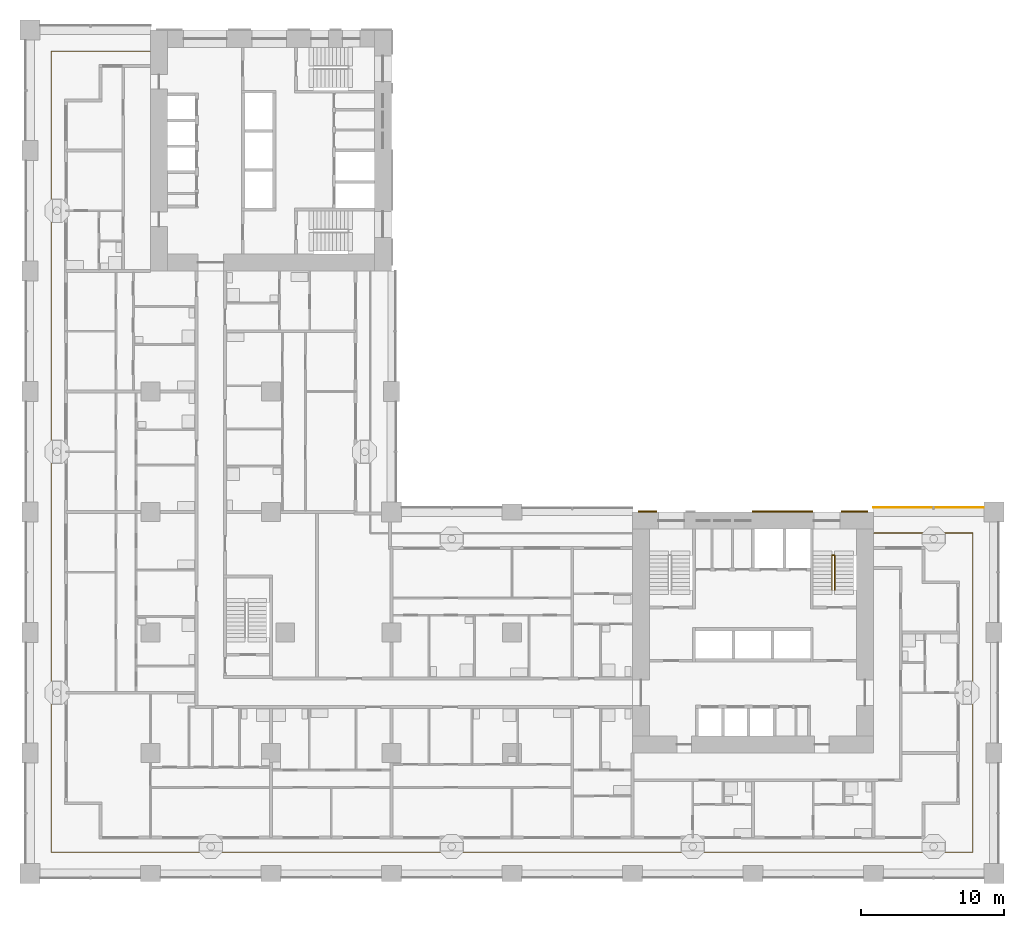
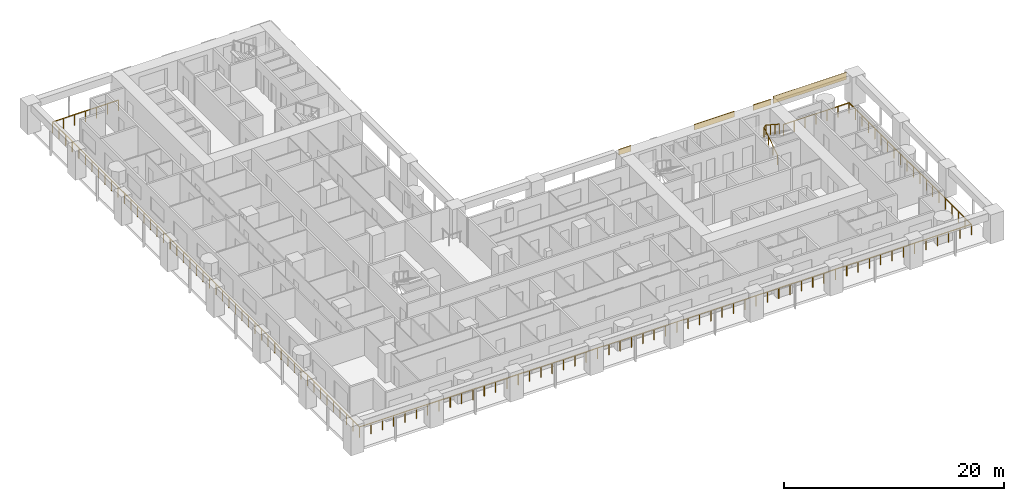
# One storey, part 14 of 22: 4 shading devices, 2 railings.
"""IFC4 building model written with IfcOpenShell, lengths in metres."""

import ifcopenshell
import ifcopenshell.guid

model = None  # the IFC model being written
_history = None  # IfcOwnerHistory: only IFC2X3 demands one
_inside = {}  # id of a spatial element -> (the spatial element, [elements in it])
_under = {}  # id of a project, library or spatial element -> (it, [spatial elements below it])
_declared = {}  # id of a project -> (the project, [libraries it declares])
_typed = {}  # id of a type object -> (the type object, [elements of that type])
_made_of = {}  # id of a material, layer set ... -> (it, [elements and type objects made of it])


def new_model(schema):
    """Start an empty IFC model of exactly this schema.

    Asked for "IFC4X3", IfcOpenShell would pick the latest addendum, in which some entities
    have other attributes; the version numbers below select the first issue.
    IFC2X3 requires an IfcOwnerHistory on every rooted entity: one is made here for all.
    """
    global model, _history
    if schema == "IFC4X3":
        model = ifcopenshell.file(schema_version=(4, 3, 0, 0))
    else:
        model = ifcopenshell.file(schema=schema)
    _inside.clear()
    _under.clear()
    _declared.clear()
    _typed.clear()
    _made_of.clear()
    _history = None
    if model.schema == "IFC2X3":
        org = make("IfcOrganization", Name="unknown")
        user = make(
            "IfcPersonAndOrganization",
            ThePerson=make("IfcPerson", FamilyName="unknown"),
            TheOrganization=org,
        )
        app = make(
            "IfcApplication",
            ApplicationDeveloper=org,
            Version="unknown",
            ApplicationFullName="unknown",
            ApplicationIdentifier="unknown",
        )
        _history = make(
            "IfcOwnerHistory",
            OwningUser=user,
            OwningApplication=app,
            ChangeAction="ADDED",
            CreationDate=0,
        )
    return model


def make(cls, **values):
    """One entity of the class cls with the attributes given. An attribute that is None is left unset."""
    return model.create_entity(
        cls, **{name: value for name, value in values.items() if value is not None}
    )


def rooted(cls, **values):
    """An entity with a GlobalId (a new one), such as an element, a storey or a relation."""
    return make(cls, GlobalId=ifcopenshell.guid.new(), OwnerHistory=_history, **values)


def si_unit(unit_type, name, prefix=None):
    """IfcSIUnit, for example si_unit("LENGTHUNIT", "METRE", prefix="MILLI")."""
    return make("IfcSIUnit", UnitType=unit_type, Prefix=prefix, Name=name)


def assignment(units):
    """IfcUnitAssignment: the units of a project."""
    return None if units is None else make("IfcUnitAssignment", Units=units)


def point(xyz):
    """IfcCartesianPoint."""
    return None if xyz is None else make("IfcCartesianPoint", Coordinates=xyz)


def direction(xyz):
    """IfcDirection."""
    return None if xyz is None else make("IfcDirection", DirectionRatios=xyz)


def frame(location, z_axis=None, x_axis=None):
    """IfcAxis2Placement3D, a coordinate frame: its origin and axes. An axis left out is left unset."""
    return make(
        "IfcAxis2Placement3D",
        Location=point(location),
        Axis=direction(z_axis),
        RefDirection=direction(x_axis),
    )


def frame_2d(location, x_axis=None):
    """IfcAxis2Placement2D, a coordinate frame in the plane: its origin and x axis."""
    return make(
        "IfcAxis2Placement2D", Location=point(location), RefDirection=direction(x_axis)
    )


def origin():
    """The frame at (0, 0, 0) with its axes left unset."""
    return frame((0.0, 0.0, 0.0))


def origin_2d():
    """The frame at (0, 0) in the plane with its x axis left unset."""
    return frame_2d((0.0, 0.0))


def place(relative_to, where):
    """IfcLocalPlacement: puts the frame where relative to a parent placement (None: the world)."""
    return make(
        "IfcLocalPlacement", PlacementRelTo=relative_to, RelativePlacement=where
    )


def context(
    kind, dimensions, precision=None, world=None, true_north=None, identifier=None
):
    """IfcGeometricRepresentationContext, for example the 3D "Model" context."""
    return make(
        "IfcGeometricRepresentationContext",
        ContextIdentifier=identifier,
        ContextType=kind,
        CoordinateSpaceDimension=dimensions,
        Precision=precision,
        WorldCoordinateSystem=world,
        TrueNorth=true_north,
    )


def subcontext(parent, identifier, kind, view, scale=None):
    """IfcGeometricRepresentationSubContext, for example "Body" below "Model"."""
    return make(
        "IfcGeometricRepresentationSubContext",
        ContextIdentifier=identifier,
        ContextType=kind,
        ParentContext=parent,
        TargetScale=scale,
        TargetView=view,
    )


def project(units=None, contexts=None):
    """IfcProject with its units and contexts."""
    return rooted(
        "IfcProject",
        Name="project",
        RepresentationContexts=contexts,
        UnitsInContext=assignment(units),
    )


def spatial(cls, under=None, at=None, **own):
    """A site, building, storey or space (cls), placed at a placement, below another one or the project."""
    s = rooted(cls, ObjectPlacement=at, **own)
    if under is not None:
        _under.setdefault(under.id(), (under, []))[1].append(s)
    return s


def profile(cls, at=None, kind="AREA", **sizes):
    """A parametric profile (cls). Its sizes go by their IFC names, for example OverallWidth=200.0."""
    return make(cls, ProfileType=kind, Position=at, **sizes)


def rectangle(**sizes):
    """IfcRectangleProfileDef."""
    return profile("IfcRectangleProfileDef", **sizes)


def circle(**sizes):
    """IfcCircleProfileDef."""
    return profile("IfcCircleProfileDef", **sizes)


def extrude(swept, where, along, depth):
    """IfcExtrudedAreaSolid: the profile swept, set in the frame where, extruded along a direction by depth."""
    return make(
        "IfcExtrudedAreaSolid",
        SweptArea=swept,
        Position=where,
        ExtrudedDirection=direction(along),
        Depth=depth,
    )


def shape(context_of_items, identifier, shape_type, items):
    """IfcShapeRepresentation: the items that make up one representation, for example the "Body"."""
    return make(
        "IfcShapeRepresentation",
        ContextOfItems=context_of_items,
        RepresentationIdentifier=identifier,
        RepresentationType=shape_type,
        Items=items,
    )


def material(Name=None, Category=None):
    """IfcMaterial."""
    return make("IfcMaterial", Name=Name, Category=Category)


def layer(
    of_material, thickness, ventilated=None, Name=None, Category=None, Priority=None
):
    """IfcMaterialLayer: one layer of a wall or slab, of a material (None: an air gap)."""
    return make(
        "IfcMaterialLayer",
        Material=of_material,
        LayerThickness=thickness,
        IsVentilated=ventilated,
        Name=Name,
        Category=Category,
        Priority=Priority,
    )


def layer_set(layers, Name=None):
    """IfcMaterialLayerSet."""
    return make("IfcMaterialLayerSet", MaterialLayers=layers, LayerSetName=Name)


def made_of(thing, what):
    """Note that an element or type object is made of a material, layer set ...; save() writes the relation."""
    if what is not None:
        _made_of.setdefault(what.id(), (what, []))[1].append(thing)
    return thing


def type_object(cls, material=None, **own):
    """A type object (cls), such as IfcWallType, which elements share."""
    return made_of(rooted(cls, **own), material)


def element(
    cls,
    number,
    at=None,
    inside=None,
    cuts=None,
    type_object=None,
    material=None,
    context=None,
    identifier="Body",
    shape_type=None,
    held_by="IfcProductDefinitionShape",
    body=None,
    shapes=None,
    **own,
):
    """One element of the class cls, such as IfcWall. Its Tag is "e" and its number.

    at: its placement. inside: the storey or other place that contains it. cuts: it is an
    opening in that element (IfcRelVoidsElement). A single representation is given by context,
    identifier, shape_type and body (its items); several are given by shapes. held_by: the class
    of the entity that holds the representations. save() writes the other relations.
    """
    e = rooted(cls, Tag="e%d" % number, ObjectPlacement=at, **own)
    if body is not None:
        shapes = [shape(context, identifier, shape_type, body)]
    if shapes is not None:
        e.Representation = make(held_by, Representations=shapes)
    if inside is not None:
        _inside.setdefault(inside.id(), (inside, []))[1].append(e)
    if cuts is not None:
        rooted(
            "IfcRelVoidsElement", RelatingBuildingElement=cuts, RelatedOpeningElement=e
        )
    if type_object is not None:
        _typed.setdefault(type_object.id(), (type_object, []))[1].append(e)
    return made_of(e, material)


def aggregate(whole, parts):
    """IfcRelAggregates: a whole, such as a stair, and the parts it consists of."""
    return rooted("IfcRelAggregates", RelatingObject=whole, RelatedObjects=parts)


def save(model, path):
    """Write the relations noted so far, then the file.

    IfcRelAggregates (storeys below a building ...), IfcRelContainedInSpatialStructure (elements
    in a storey), IfcRelDefinesByType, IfcRelAssociatesMaterial and IfcRelDeclares: one each for
    every whole, place, type object, material and project.
    """
    for whole, parts in _under.values():
        aggregate(whole, parts)
    for where, things in _inside.values():
        rooted(
            "IfcRelContainedInSpatialStructure",
            RelatedElements=things,
            RelatingStructure=where,
        )
    for kind, things in _typed.values():
        rooted("IfcRelDefinesByType", RelatedObjects=things, RelatingType=kind)
    for what, things in _made_of.values():
        rooted("IfcRelAssociatesMaterial", RelatedObjects=things, RelatingMaterial=what)
    for by, libraries in _declared.values():
        rooted("IfcRelDeclares", RelatingContext=by, RelatedDefinitions=libraries)
    model.write(path)


model = new_model("IFC4")

# Units and contexts
model_context = context("Model", 3, precision=1e-05, world=origin(), true_north=direction((0.0, 1.0)))
body_context = subcontext(model_context, "Body", "Model", "MODEL_VIEW")
ifc_project = project(units=[si_unit("LENGTHUNIT", "METRE"), si_unit("AREAUNIT", "SQUARE_METRE"), si_unit("VOLUMEUNIT", "CUBIC_METRE"), si_unit("PLANEANGLEUNIT", "RADIAN"), si_unit("MASSUNIT", "GRAM", prefix="KILO")], contexts=[model_context])

# Site, building, storey
site_placement = place(None, origin())
site = spatial("IfcSite", under=ifc_project, at=site_placement, CompositionType="ELEMENT")
building_placement = place(site_placement, origin())
building = spatial("IfcBuilding", under=site, at=building_placement, Name="Vermilion Gate Residences", CompositionType="ELEMENT")
storey_placement = place(building_placement, frame((0.0, 0.0, 63.699951171875)))
storey = spatial("IfcBuildingStorey", under=building, at=storey_placement, Name="L15", CompositionType="ELEMENT", Elevation=63.699951171875)

# Railing
ifc_material_1 = material(Name="Stainless steel and toughened glass", Category="steel")
railing_type_1 = type_object("IfcRailingType", Name="LOGGIA GUARD STEEL AND GLASS 1200", PredefinedType="GUARDRAIL", material=ifc_material_1)
railing_1_placement = place(storey_placement, frame((8.3779296875, 57.324951171875, 0.0)))
element("IfcRailing", 1, at=railing_1_placement, inside=storey, type_object=railing_type_1, Name="Loggia guard", PredefinedType="GUARDRAIL", context=body_context, shape_type="SweptSolid", body=[
    extrude(circle(Radius=0.030029296875, at=origin_2d()), frame((0.0, 0.0, 1.169921875), z_axis=(-1.0, 0.0, 0.0), x_axis=(0.0, -1.0, 0.0)), (0.0, 0.0, 1.0), 6.90283203125),
    extrude(circle(Radius=0.030029296875, at=origin_2d()), frame((-6.90283203125, 0.0, 1.169921875), z_axis=(0.0, -1.0, 0.0), x_axis=(1.0, 0.0, 0.0)), (0.0, 0.0, 1.0), 55.849853515625),
    extrude(circle(Radius=0.030029296875, at=origin_2d()), frame((-6.90283203125, -55.849853515625, 1.169921875), z_axis=(1.0, 0.0, 0.0), x_axis=(0.0, 1.0, 0.0)), (0.0, 0.0, 1.0), 64.25),
    extrude(circle(Radius=0.030029296875, at=origin_2d()), frame((57.34716796875, -55.849853515625, 1.169921875), z_axis=(0.0, 1.0, 0.0), x_axis=(-1.0, 0.0, 0.0)), (0.0, 0.0, 1.0), 22.25),
    extrude(circle(Radius=0.030029296875, at=origin_2d()), frame((57.34716796875, -33.599853515625, 1.169921875), z_axis=(-1.0, 0.0, 0.0), x_axis=(0.0, -1.0, 0.0)), (0.0, 0.0, 1.0), 6.903076171875),
    extrude(circle(Radius=0.02490234375, at=origin_2d()), origin(), (0.0, 0.0, 1.0), 1.139892578125),
    extrude(circle(Radius=0.02490234375, at=origin_2d()), frame((-1.150390625, 0.0, 0.0)), (0.0, 0.0, 1.0), 1.139892578125),
    extrude(circle(Radius=0.02490234375, at=origin_2d()), frame((-2.301025390625, 0.0, 0.0)), (0.0, 0.0, 1.0), 1.139892578125),
    extrude(circle(Radius=0.02490234375, at=origin_2d()), frame((-3.451416015625, 0.0, 0.0)), (0.0, 0.0, 1.0), 1.139892578125),
    extrude(circle(Radius=0.02490234375, at=origin_2d()), frame((-4.601806640625, 0.0, 0.0)), (0.0, 0.0, 1.0), 1.139892578125),
    extrude(circle(Radius=0.02490234375, at=origin_2d()), frame((-5.75244140625, 0.0, 0.0)), (0.0, 0.0, 1.0), 1.139892578125),
    extrude(circle(Radius=0.02490234375, at=origin_2d()), frame((-6.90283203125, 0.0, 0.0)), (0.0, 0.0, 1.0), 1.139892578125),
    extrude(circle(Radius=0.02490234375, at=origin_2d()), frame((-6.90283203125, -1.188232421875, 0.0)), (0.0, 0.0, 1.0), 1.139892578125),
    extrude(circle(Radius=0.02490234375, at=origin_2d()), frame((-6.90283203125, -2.376708984375, 0.0)), (0.0, 0.0, 1.0), 1.139892578125),
    extrude(circle(Radius=0.02490234375, at=origin_2d()), frame((-6.90283203125, -3.56494140625, 0.0)), (0.0, 0.0, 1.0), 1.139892578125),
    extrude(circle(Radius=0.02490234375, at=origin_2d()), frame((-6.90283203125, -4.753173828125, 0.0)), (0.0, 0.0, 1.0), 1.139892578125),
    extrude(circle(Radius=0.02490234375, at=origin_2d()), frame((-6.90283203125, -5.94140625, 0.0)), (0.0, 0.0, 1.0), 1.139892578125),
    extrude(circle(Radius=0.02490234375, at=origin_2d()), frame((-6.90283203125, -7.1298828125, 0.0)), (0.0, 0.0, 1.0), 1.139892578125),
    extrude(circle(Radius=0.02490234375, at=origin_2d()), frame((-6.90283203125, -8.318115234375, 0.0)), (0.0, 0.0, 1.0), 1.139892578125),
    extrude(circle(Radius=0.02490234375, at=origin_2d()), frame((-6.90283203125, -9.50634765625, 0.0)), (0.0, 0.0, 1.0), 1.139892578125),
    extrude(circle(Radius=0.02490234375, at=origin_2d()), frame((-6.90283203125, -10.694580078125, 0.0)), (0.0, 0.0, 1.0), 1.139892578125),
    extrude(circle(Radius=0.02490234375, at=origin_2d()), frame((-6.90283203125, -11.883056640625, 0.0)), (0.0, 0.0, 1.0), 1.139892578125),
    extrude(circle(Radius=0.02490234375, at=origin_2d()), frame((-6.90283203125, -13.0712890625, 0.0)), (0.0, 0.0, 1.0), 1.139892578125),
    extrude(circle(Radius=0.02490234375, at=origin_2d()), frame((-6.90283203125, -14.259521484375, 0.0)), (0.0, 0.0, 1.0), 1.139892578125),
    extrude(circle(Radius=0.02490234375, at=origin_2d()), frame((-6.90283203125, -15.44775390625, 0.0)), (0.0, 0.0, 1.0), 1.139892578125),
    extrude(circle(Radius=0.02490234375, at=origin_2d()), frame((-6.90283203125, -16.63623046875, 0.0)), (0.0, 0.0, 1.0), 1.139892578125),
    extrude(circle(Radius=0.02490234375, at=origin_2d()), frame((-6.90283203125, -17.824462890625, 0.0)), (0.0, 0.0, 1.0), 1.139892578125),
    extrude(circle(Radius=0.02490234375, at=origin_2d()), frame((-6.90283203125, -19.0126953125, 0.0)), (0.0, 0.0, 1.0), 1.139892578125),
    extrude(circle(Radius=0.02490234375, at=origin_2d()), frame((-6.90283203125, -20.200927734375, 0.0)), (0.0, 0.0, 1.0), 1.139892578125),
    extrude(circle(Radius=0.02490234375, at=origin_2d()), frame((-6.90283203125, -21.389404296875, 0.0)), (0.0, 0.0, 1.0), 1.139892578125),
    extrude(circle(Radius=0.02490234375, at=origin_2d()), frame((-6.90283203125, -22.57763671875, 0.0)), (0.0, 0.0, 1.0), 1.139892578125),
    extrude(circle(Radius=0.02490234375, at=origin_2d()), frame((-6.90283203125, -23.765869140625, 0.0)), (0.0, 0.0, 1.0), 1.139892578125),
    extrude(circle(Radius=0.02490234375, at=origin_2d()), frame((-6.90283203125, -24.9541015625, 0.0)), (0.0, 0.0, 1.0), 1.139892578125),
    extrude(circle(Radius=0.02490234375, at=origin_2d()), frame((-6.90283203125, -26.142578125, 0.0)), (0.0, 0.0, 1.0), 1.139892578125),
    extrude(circle(Radius=0.02490234375, at=origin_2d()), frame((-6.90283203125, -27.330810546875, 0.0)), (0.0, 0.0, 1.0), 1.139892578125),
    extrude(circle(Radius=0.02490234375, at=origin_2d()), frame((-6.90283203125, -28.51904296875, 0.0)), (0.0, 0.0, 1.0), 1.139892578125),
    extrude(circle(Radius=0.02490234375, at=origin_2d()), frame((-6.90283203125, -29.707275390625, 0.0)), (0.0, 0.0, 1.0), 1.139892578125),
    extrude(circle(Radius=0.02490234375, at=origin_2d()), frame((-6.90283203125, -30.895751953125, 0.0)), (0.0, 0.0, 1.0), 1.139892578125),
    extrude(circle(Radius=0.02490234375, at=origin_2d()), frame((-6.90283203125, -32.083984375, 0.0)), (0.0, 0.0, 1.0), 1.139892578125),
    extrude(circle(Radius=0.02490234375, at=origin_2d()), frame((-6.90283203125, -33.272216796875, 0.0)), (0.0, 0.0, 1.0), 1.139892578125),
    extrude(circle(Radius=0.02490234375, at=origin_2d()), frame((-6.90283203125, -34.46044921875, 0.0)), (0.0, 0.0, 1.0), 1.139892578125),
    extrude(circle(Radius=0.02490234375, at=origin_2d()), frame((-6.90283203125, -35.64892578125, 0.0)), (0.0, 0.0, 1.0), 1.139892578125),
    extrude(circle(Radius=0.02490234375, at=origin_2d()), frame((-6.90283203125, -36.837158203125, 0.0)), (0.0, 0.0, 1.0), 1.139892578125),
    extrude(circle(Radius=0.02490234375, at=origin_2d()), frame((-6.90283203125, -38.025390625, 0.0)), (0.0, 0.0, 1.0), 1.139892578125),
    extrude(circle(Radius=0.02490234375, at=origin_2d()), frame((-6.90283203125, -39.213623046875, 0.0)), (0.0, 0.0, 1.0), 1.139892578125),
    extrude(circle(Radius=0.02490234375, at=origin_2d()), frame((-6.90283203125, -40.402099609375, 0.0)), (0.0, 0.0, 1.0), 1.139892578125),
    extrude(circle(Radius=0.02490234375, at=origin_2d()), frame((-6.90283203125, -41.59033203125, 0.0)), (0.0, 0.0, 1.0), 1.139892578125),
    extrude(circle(Radius=0.02490234375, at=origin_2d()), frame((-6.90283203125, -42.778564453125, 0.0)), (0.0, 0.0, 1.0), 1.139892578125),
    extrude(circle(Radius=0.02490234375, at=origin_2d()), frame((-6.90283203125, -43.966796875, 0.0)), (0.0, 0.0, 1.0), 1.139892578125),
    extrude(circle(Radius=0.02490234375, at=origin_2d()), frame((-6.90283203125, -45.1552734375, 0.0)), (0.0, 0.0, 1.0), 1.139892578125),
    extrude(circle(Radius=0.02490234375, at=origin_2d()), frame((-6.90283203125, -46.343505859375, 0.0)), (0.0, 0.0, 1.0), 1.139892578125),
    extrude(circle(Radius=0.02490234375, at=origin_2d()), frame((-6.90283203125, -47.53173828125, 0.0)), (0.0, 0.0, 1.0), 1.139892578125),
    extrude(circle(Radius=0.02490234375, at=origin_2d()), frame((-6.90283203125, -48.719970703125, 0.0)), (0.0, 0.0, 1.0), 1.139892578125),
    extrude(circle(Radius=0.02490234375, at=origin_2d()), frame((-6.90283203125, -49.908447265625, 0.0)), (0.0, 0.0, 1.0), 1.139892578125),
    extrude(circle(Radius=0.02490234375, at=origin_2d()), frame((-6.90283203125, -51.0966796875, 0.0)), (0.0, 0.0, 1.0), 1.139892578125),
    extrude(circle(Radius=0.02490234375, at=origin_2d()), frame((-6.90283203125, -52.284912109375, 0.0)), (0.0, 0.0, 1.0), 1.139892578125),
    extrude(circle(Radius=0.02490234375, at=origin_2d()), frame((-6.90283203125, -53.47314453125, 0.0)), (0.0, 0.0, 1.0), 1.139892578125),
    extrude(circle(Radius=0.02490234375, at=origin_2d()), frame((-6.90283203125, -54.66162109375, 0.0)), (0.0, 0.0, 1.0), 1.139892578125),
    extrude(circle(Radius=0.02490234375, at=origin_2d()), frame((-6.90283203125, -55.849853515625, 0.0)), (0.0, 0.0, 1.0), 1.139892578125),
    extrude(circle(Radius=0.02490234375, at=origin_2d()), frame((-5.713134765625, -55.849853515625, 0.0)), (0.0, 0.0, 1.0), 1.139892578125),
    extrude(circle(Radius=0.02490234375, at=origin_2d()), frame((-4.523193359375, -55.849853515625, 0.0)), (0.0, 0.0, 1.0), 1.139892578125),
    extrude(circle(Radius=0.02490234375, at=origin_2d()), frame((-3.33349609375, -55.849853515625, 0.0)), (0.0, 0.0, 1.0), 1.139892578125),
    extrude(circle(Radius=0.02490234375, at=origin_2d()), frame((-2.1435546875, -55.849853515625, 0.0)), (0.0, 0.0, 1.0), 1.139892578125),
    extrude(circle(Radius=0.02490234375, at=origin_2d()), frame((-0.953857421875, -55.849853515625, 0.0)), (0.0, 0.0, 1.0), 1.139892578125),
    extrude(circle(Radius=0.02490234375, at=origin_2d()), frame((0.236083984375, -55.849853515625, 0.0)), (0.0, 0.0, 1.0), 1.139892578125),
    extrude(circle(Radius=0.02490234375, at=origin_2d()), frame((1.42578125, -55.849853515625, 0.0)), (0.0, 0.0, 1.0), 1.139892578125),
    extrude(circle(Radius=0.02490234375, at=origin_2d()), frame((2.61572265625, -55.849853515625, 0.0)), (0.0, 0.0, 1.0), 1.139892578125),
    extrude(circle(Radius=0.02490234375, at=origin_2d()), frame((3.805419921875, -55.849853515625, 0.0)), (0.0, 0.0, 1.0), 1.139892578125),
    extrude(circle(Radius=0.02490234375, at=origin_2d()), frame((4.995361328125, -55.849853515625, 0.0)), (0.0, 0.0, 1.0), 1.139892578125),
    extrude(circle(Radius=0.02490234375, at=origin_2d()), frame((6.18505859375, -55.849853515625, 0.0)), (0.0, 0.0, 1.0), 1.139892578125),
    extrude(circle(Radius=0.02490234375, at=origin_2d()), frame((7.375, -55.849853515625, 0.0)), (0.0, 0.0, 1.0), 1.139892578125),
    extrude(circle(Radius=0.02490234375, at=origin_2d()), frame((8.564697265625, -55.849853515625, 0.0)), (0.0, 0.0, 1.0), 1.139892578125),
    extrude(circle(Radius=0.02490234375, at=origin_2d()), frame((9.754638671875, -55.849853515625, 0.0)), (0.0, 0.0, 1.0), 1.139892578125),
    extrude(circle(Radius=0.02490234375, at=origin_2d()), frame((10.9443359375, -55.849853515625, 0.0)), (0.0, 0.0, 1.0), 1.139892578125),
    extrude(circle(Radius=0.02490234375, at=origin_2d()), frame((12.13427734375, -55.849853515625, 0.0)), (0.0, 0.0, 1.0), 1.139892578125),
    extrude(circle(Radius=0.02490234375, at=origin_2d()), frame((13.323974609375, -55.849853515625, 0.0)), (0.0, 0.0, 1.0), 1.139892578125),
    extrude(circle(Radius=0.02490234375, at=origin_2d()), frame((14.513916015625, -55.849853515625, 0.0)), (0.0, 0.0, 1.0), 1.139892578125),
    extrude(circle(Radius=0.02490234375, at=origin_2d()), frame((15.70361328125, -55.849853515625, 0.0)), (0.0, 0.0, 1.0), 1.139892578125),
    extrude(circle(Radius=0.02490234375, at=origin_2d()), frame((16.8935546875, -55.849853515625, 0.0)), (0.0, 0.0, 1.0), 1.139892578125),
    extrude(circle(Radius=0.02490234375, at=origin_2d()), frame((18.083251953125, -55.849853515625, 0.0)), (0.0, 0.0, 1.0), 1.139892578125),
    extrude(circle(Radius=0.02490234375, at=origin_2d()), frame((19.273193359375, -55.849853515625, 0.0)), (0.0, 0.0, 1.0), 1.139892578125),
    extrude(circle(Radius=0.02490234375, at=origin_2d()), frame((20.462890625, -55.849853515625, 0.0)), (0.0, 0.0, 1.0), 1.139892578125),
    extrude(circle(Radius=0.02490234375, at=origin_2d()), frame((21.65283203125, -55.849853515625, 0.0)), (0.0, 0.0, 1.0), 1.139892578125),
    extrude(circle(Radius=0.02490234375, at=origin_2d()), frame((22.842529296875, -55.849853515625, 0.0)), (0.0, 0.0, 1.0), 1.139892578125),
    extrude(circle(Radius=0.02490234375, at=origin_2d()), frame((24.032470703125, -55.849853515625, 0.0)), (0.0, 0.0, 1.0), 1.139892578125),
    extrude(circle(Radius=0.02490234375, at=origin_2d()), frame((25.22216796875, -55.849853515625, 0.0)), (0.0, 0.0, 1.0), 1.139892578125),
    extrude(circle(Radius=0.02490234375, at=origin_2d()), frame((26.411865234375, -55.849853515625, 0.0)), (0.0, 0.0, 1.0), 1.139892578125),
    extrude(circle(Radius=0.02490234375, at=origin_2d()), frame((27.601806640625, -55.849853515625, 0.0)), (0.0, 0.0, 1.0), 1.139892578125),
    extrude(circle(Radius=0.02490234375, at=origin_2d()), frame((28.79150390625, -55.849853515625, 0.0)), (0.0, 0.0, 1.0), 1.139892578125),
    extrude(circle(Radius=0.02490234375, at=origin_2d()), frame((29.9814453125, -55.849853515625, 0.0)), (0.0, 0.0, 1.0), 1.139892578125),
    extrude(circle(Radius=0.02490234375, at=origin_2d()), frame((31.171142578125, -55.849853515625, 0.0)), (0.0, 0.0, 1.0), 1.139892578125),
    extrude(circle(Radius=0.02490234375, at=origin_2d()), frame((32.361083984375, -55.849853515625, 0.0)), (0.0, 0.0, 1.0), 1.139892578125),
    extrude(circle(Radius=0.02490234375, at=origin_2d()), frame((33.55078125, -55.849853515625, 0.0)), (0.0, 0.0, 1.0), 1.139892578125),
    extrude(circle(Radius=0.02490234375, at=origin_2d()), frame((34.74072265625, -55.849853515625, 0.0)), (0.0, 0.0, 1.0), 1.139892578125),
    extrude(circle(Radius=0.02490234375, at=origin_2d()), frame((35.930419921875, -55.849853515625, 0.0)), (0.0, 0.0, 1.0), 1.139892578125),
    extrude(circle(Radius=0.02490234375, at=origin_2d()), frame((37.120361328125, -55.849853515625, 0.0)), (0.0, 0.0, 1.0), 1.139892578125),
    extrude(circle(Radius=0.02490234375, at=origin_2d()), frame((38.31005859375, -55.849853515625, 0.0)), (0.0, 0.0, 1.0), 1.139892578125),
    extrude(circle(Radius=0.02490234375, at=origin_2d()), frame((39.5, -55.849853515625, 0.0)), (0.0, 0.0, 1.0), 1.139892578125),
    extrude(circle(Radius=0.02490234375, at=origin_2d()), frame((40.689697265625, -55.849853515625, 0.0)), (0.0, 0.0, 1.0), 1.139892578125),
    extrude(circle(Radius=0.02490234375, at=origin_2d()), frame((41.879638671875, -55.849853515625, 0.0)), (0.0, 0.0, 1.0), 1.139892578125),
    extrude(circle(Radius=0.02490234375, at=origin_2d()), frame((43.0693359375, -55.849853515625, 0.0)), (0.0, 0.0, 1.0), 1.139892578125),
    extrude(circle(Radius=0.02490234375, at=origin_2d()), frame((44.25927734375, -55.849853515625, 0.0)), (0.0, 0.0, 1.0), 1.139892578125),
    extrude(circle(Radius=0.02490234375, at=origin_2d()), frame((45.448974609375, -55.849853515625, 0.0)), (0.0, 0.0, 1.0), 1.139892578125),
    extrude(circle(Radius=0.02490234375, at=origin_2d()), frame((46.638916015625, -55.849853515625, 0.0)), (0.0, 0.0, 1.0), 1.139892578125),
    extrude(circle(Radius=0.02490234375, at=origin_2d()), frame((47.82861328125, -55.849853515625, 0.0)), (0.0, 0.0, 1.0), 1.139892578125),
    extrude(circle(Radius=0.02490234375, at=origin_2d()), frame((49.0185546875, -55.849853515625, 0.0)), (0.0, 0.0, 1.0), 1.139892578125),
    extrude(circle(Radius=0.02490234375, at=origin_2d()), frame((50.208251953125, -55.849853515625, 0.0)), (0.0, 0.0, 1.0), 1.139892578125),
    extrude(circle(Radius=0.02490234375, at=origin_2d()), frame((51.398193359375, -55.849853515625, 0.0)), (0.0, 0.0, 1.0), 1.139892578125),
    extrude(circle(Radius=0.02490234375, at=origin_2d()), frame((52.587890625, -55.849853515625, 0.0)), (0.0, 0.0, 1.0), 1.139892578125),
    extrude(circle(Radius=0.02490234375, at=origin_2d()), frame((53.77783203125, -55.849853515625, 0.0)), (0.0, 0.0, 1.0), 1.139892578125),
    extrude(circle(Radius=0.02490234375, at=origin_2d()), frame((54.967529296875, -55.849853515625, 0.0)), (0.0, 0.0, 1.0), 1.139892578125),
    extrude(circle(Radius=0.02490234375, at=origin_2d()), frame((56.157470703125, -55.849853515625, 0.0)), (0.0, 0.0, 1.0), 1.139892578125),
    extrude(circle(Radius=0.02490234375, at=origin_2d()), frame((57.34716796875, -55.849853515625, 0.0)), (0.0, 0.0, 1.0), 1.139892578125),
    extrude(circle(Radius=0.02490234375, at=origin_2d()), frame((57.34716796875, -54.6787109375, 0.0)), (0.0, 0.0, 1.0), 1.139892578125),
    extrude(circle(Radius=0.02490234375, at=origin_2d()), frame((57.34716796875, -53.5078125, 0.0)), (0.0, 0.0, 1.0), 1.139892578125),
    extrude(circle(Radius=0.02490234375, at=origin_2d()), frame((57.34716796875, -52.336669921875, 0.0)), (0.0, 0.0, 1.0), 1.139892578125),
    extrude(circle(Radius=0.02490234375, at=origin_2d()), frame((57.34716796875, -51.16552734375, 0.0)), (0.0, 0.0, 1.0), 1.139892578125),
    extrude(circle(Radius=0.02490234375, at=origin_2d()), frame((57.34716796875, -49.99462890625, 0.0)), (0.0, 0.0, 1.0), 1.139892578125),
    extrude(circle(Radius=0.02490234375, at=origin_2d()), frame((57.34716796875, -48.823486328125, 0.0)), (0.0, 0.0, 1.0), 1.139892578125),
    extrude(circle(Radius=0.02490234375, at=origin_2d()), frame((57.34716796875, -47.652587890625, 0.0)), (0.0, 0.0, 1.0), 1.139892578125),
    extrude(circle(Radius=0.02490234375, at=origin_2d()), frame((57.34716796875, -46.4814453125, 0.0)), (0.0, 0.0, 1.0), 1.139892578125),
    extrude(circle(Radius=0.02490234375, at=origin_2d()), frame((57.34716796875, -45.310302734375, 0.0)), (0.0, 0.0, 1.0), 1.139892578125),
    extrude(circle(Radius=0.02490234375, at=origin_2d()), frame((57.34716796875, -44.139404296875, 0.0)), (0.0, 0.0, 1.0), 1.139892578125),
    extrude(circle(Radius=0.02490234375, at=origin_2d()), frame((57.34716796875, -42.96826171875, 0.0)), (0.0, 0.0, 1.0), 1.139892578125),
    extrude(circle(Radius=0.02490234375, at=origin_2d()), frame((57.34716796875, -41.797119140625, 0.0)), (0.0, 0.0, 1.0), 1.139892578125),
    extrude(circle(Radius=0.02490234375, at=origin_2d()), frame((57.34716796875, -40.626220703125, 0.0)), (0.0, 0.0, 1.0), 1.139892578125),
    extrude(circle(Radius=0.02490234375, at=origin_2d()), frame((57.34716796875, -39.455078125, 0.0)), (0.0, 0.0, 1.0), 1.139892578125),
    extrude(circle(Radius=0.02490234375, at=origin_2d()), frame((57.34716796875, -38.2841796875, 0.0)), (0.0, 0.0, 1.0), 1.139892578125),
    extrude(circle(Radius=0.02490234375, at=origin_2d()), frame((57.34716796875, -37.113037109375, 0.0)), (0.0, 0.0, 1.0), 1.139892578125),
    extrude(circle(Radius=0.02490234375, at=origin_2d()), frame((57.34716796875, -35.94189453125, 0.0)), (0.0, 0.0, 1.0), 1.139892578125),
    extrude(circle(Radius=0.02490234375, at=origin_2d()), frame((57.34716796875, -34.77099609375, 0.0)), (0.0, 0.0, 1.0), 1.139892578125),
    extrude(circle(Radius=0.02490234375, at=origin_2d()), frame((57.34716796875, -33.599853515625, 0.0)), (0.0, 0.0, 1.0), 1.139892578125),
    extrude(circle(Radius=0.02490234375, at=origin_2d()), frame((56.19677734375, -33.599853515625, 0.0)), (0.0, 0.0, 1.0), 1.139892578125),
    extrude(circle(Radius=0.02490234375, at=origin_2d()), frame((55.046142578125, -33.599853515625, 0.0)), (0.0, 0.0, 1.0), 1.139892578125),
    extrude(circle(Radius=0.02490234375, at=origin_2d()), frame((53.8955078125, -33.599853515625, 0.0)), (0.0, 0.0, 1.0), 1.139892578125),
    extrude(circle(Radius=0.02490234375, at=origin_2d()), frame((52.7451171875, -33.599853515625, 0.0)), (0.0, 0.0, 1.0), 1.139892578125),
    extrude(circle(Radius=0.02490234375, at=origin_2d()), frame((51.5947265625, -33.599853515625, 0.0)), (0.0, 0.0, 1.0), 1.139892578125),
    extrude(circle(Radius=0.02490234375, at=origin_2d()), frame((50.444091796875, -33.599853515625, 0.0)), (0.0, 0.0, 1.0), 1.139892578125),
])

# Shading device
ifc_material_2 = material(Name="Perforated terracotta", Category="masonry")
ifc_layer_1 = layer(ifc_material_2, 0.0400390625)
ifc_layer_set_1 = layer_set([ifc_layer_1], Name="PERFORATED TERRACOTTA SCREEN 40")
shading_device_type_1 = type_object("IfcShadingDeviceType", Name="PERFORATED TERRACOTTA SCREEN 40", PredefinedType="SHUTTER", material=ifc_layer_set_1)
shading_device_1_placement = place(storey_placement, frame((62.64990234375, 25.52001953125, 2.419921875), z_axis=(0.0, 0.0, 1.0), x_axis=(-1.0, 0.0, 0.0)))
element("IfcShadingDevice", 2, at=shading_device_1_placement, inside=storey, type_object=shading_device_type_1, Name="SCREEN", PredefinedType="SHUTTER", context=body_context, shape_type="SweptSolid", body=[
    extrude(rectangle(XDim=7.699951171875, YDim=0.0400390625, at=origin_2d()), origin(), (0.0, 0.0, 1.0), 0.800048828125),
])

# Railing
ifc_material_3 = material(Name="Steel S355", Category="steel")
railing_type_2 = type_object("IfcRailingType", Name="STAIR GUARD 1100 STEEL", PredefinedType="GUARDRAIL", material=ifc_material_3)
railing_2_placement = place(storey_placement, frame((55.89990234375, 19.75, 0.175048828125)))
element("IfcRailing", 3, at=railing_2_placement, inside=storey, type_object=railing_type_2, Name="Stair well guard STA2-15", PredefinedType="GUARDRAIL", context=body_context, shape_type="SweptSolid", body=[
    extrude(circle(Radius=0.02392578125, at=origin_2d()), frame((0.0, 0.0, 1.076171875), z_axis=(0.0, 0.839153699163, 0.543894354798), x_axis=(-1.0, 0.0, 0.0)), (0.0, 0.0, 1.0), 2.895751953125),
    extrude(circle(Radius=0.02392578125, at=origin_2d()), frame((0.0, 2.429931640625, 2.65087890625), z_axis=(0.752804132164, 0.0, 0.658244588734), x_axis=(0.0, 1.0, 0.0)), (0.0, 0.0, 1.0), 0.265869140625),
    extrude(circle(Radius=0.02392578125, at=origin_2d()), frame((0.2001953125, 2.429931640625, 2.826171875), z_axis=(0.0, -0.839153699163, 0.543894354798), x_axis=(1.0, 0.0, 0.0)), (0.0, 0.0, 1.0), 2.895751953125),
    extrude(circle(Radius=0.02099609375, at=origin_2d()), origin(), (0.0, 0.0, 1.0), 1.052001953125),
    extrude(circle(Radius=0.02099609375, at=origin_2d()), frame((0.0, 0.81005859375, 0.52490234375)), (0.0, 0.0, 1.0), 1.052001953125),
    extrude(circle(Radius=0.02099609375, at=origin_2d()), frame((0.0, 1.619873046875, 1.050048828125)), (0.0, 0.0, 1.0), 1.052001953125),
    extrude(circle(Radius=0.02099609375, at=origin_2d()), frame((0.0, 2.429931640625, 1.574951171875)), (0.0, 0.0, 1.0), 1.052001953125),
    extrude(circle(Radius=0.02099609375, at=origin_2d()), frame((0.2001953125, 2.429931640625, 1.75)), (0.0, 0.0, 1.0), 1.052001953125),
    extrude(circle(Radius=0.02099609375, at=origin_2d()), frame((0.2001953125, 1.619873046875, 2.27490234375)), (0.0, 0.0, 1.0), 1.052001953125),
    extrude(circle(Radius=0.02099609375, at=origin_2d()), frame((0.2001953125, 0.81005859375, 2.800048828125)), (0.0, 0.0, 1.0), 1.052001953125),
    extrude(circle(Radius=0.02099609375, at=origin_2d()), frame((0.2001953125, 0.0, 3.324951171875)), (0.0, 0.0, 1.0), 1.052001953125),
])

# Shading devices
ifc_material_4 = material(Name="Extruded terracotta", Category="masonry")
ifc_layer_2 = layer(ifc_material_4, 0.10009765625)
ifc_layer_set_2 = layer_set([ifc_layer_2], Name="TERRACOTTA SPANDREL BAND 600 X 100")
shading_device_type_2 = type_object("IfcShadingDeviceType", Name="TERRACOTTA SPANDREL BAND 600 X 100", PredefinedType="USERDEFINED", material=ifc_layer_set_2)
shading_device_2_placement = place(storey_placement, frame((43.050048828125, 25.25, 2.6201171875), z_axis=(0.0, 0.0, 1.0), x_axis=(1.0, 0.0, 0.0)))
element("IfcShadingDevice", 4, at=shading_device_2_placement, inside=storey, type_object=shading_device_type_2, Name="SPANDREL BAND", ObjectType="BAND", PredefinedType="USERDEFINED", context=body_context, shape_type="SweptSolid", body=[
    extrude(rectangle(XDim=1.300048828125, YDim=0.10009765625, at=origin_2d()), origin(), (0.0, 0.0, 1.0), 0.60009765625),
])
shading_device_3_placement = place(storey_placement, frame((52.449951171875, 25.25, 2.6201171875), z_axis=(0.0, 0.0, 1.0), x_axis=(1.0, 0.0, 0.0)))
element("IfcShadingDevice", 5, at=shading_device_3_placement, inside=storey, type_object=shading_device_type_2, Name="SPANDREL BAND", ObjectType="BAND", PredefinedType="USERDEFINED", context=body_context, shape_type="SweptSolid", body=[
    extrude(rectangle(XDim=4.199951171875, YDim=0.10009765625, at=origin_2d()), origin(), (0.0, 0.0, 1.0), 0.60009765625),
])
shading_device_4_placement = place(storey_placement, frame((57.47509765625, 25.25, 2.6201171875), z_axis=(0.0, 0.0, 1.0), x_axis=(1.0, 0.0, 0.0)))
element("IfcShadingDevice", 6, at=shading_device_4_placement, inside=storey, type_object=shading_device_type_2, Name="SPANDREL BAND", ObjectType="BAND", PredefinedType="USERDEFINED", context=body_context, shape_type="SweptSolid", body=[
    extrude(rectangle(XDim=1.85009765625, YDim=0.10009765625, at=origin_2d()), origin(), (0.0, 0.0, 1.0), 0.60009765625),
])

save(model, "model.ifc")
